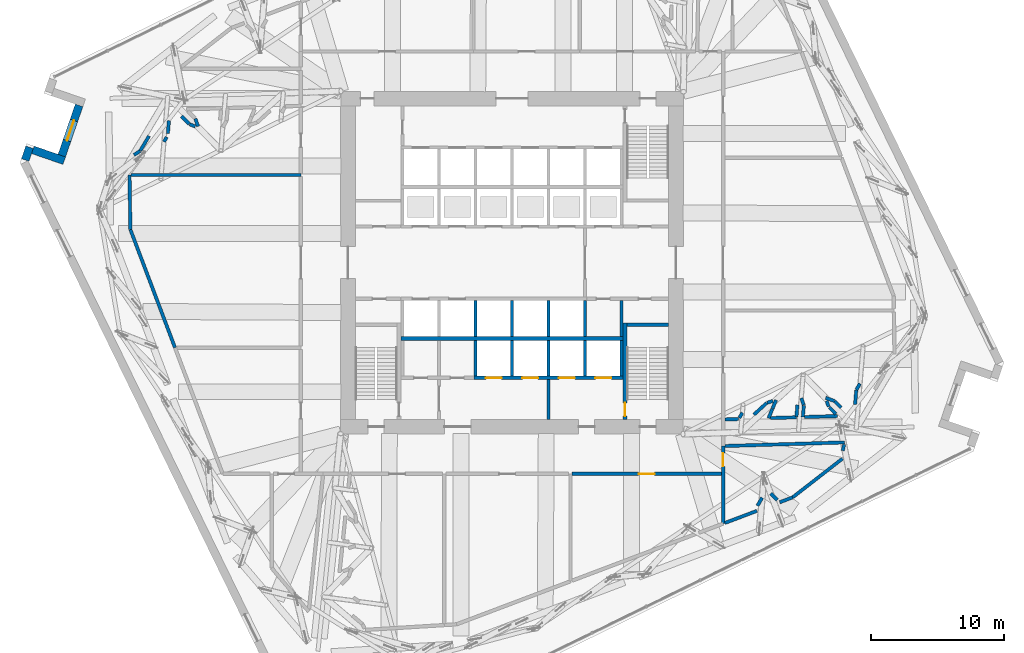
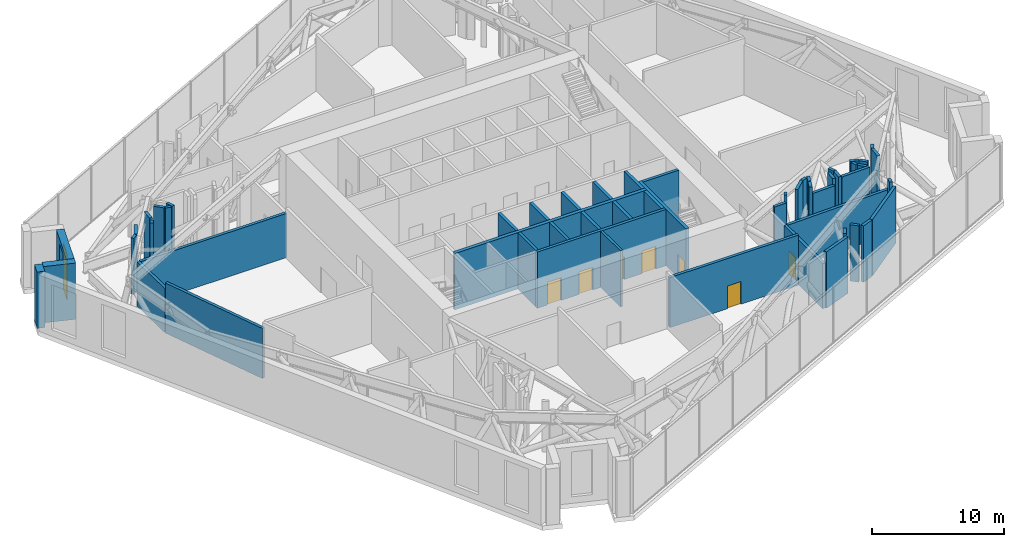
# One storey, part 11 of 21: 54 walls, 7 doors, 1 window, 8 openings.
"""IFC4 building model written with IfcOpenShell, lengths in metres."""

from ifc_helpers import new_model, si_unit, direction, frame, frame_2d, origin, place, context, subcontext, project, spatial, rectangle, extrude, material, layer, layer_set, type_object, element, fill, save


model = new_model("IFC4")

# Units and contexts
model_context = context("Model", 3, precision=1e-05, world=origin(), true_north=direction((0.0, 1.0)))
body_context = subcontext(model_context, "Body", "Model", "MODEL_VIEW")
ifc_project = project(units=[si_unit("LENGTHUNIT", "METRE"), si_unit("AREAUNIT", "SQUARE_METRE"), si_unit("VOLUMEUNIT", "CUBIC_METRE"), si_unit("PLANEANGLEUNIT", "RADIAN"), si_unit("MASSUNIT", "GRAM", prefix="KILO")], contexts=[model_context])

# Site, building, storey
site_placement = place(None, origin())
site = spatial("IfcSite", under=ifc_project, at=site_placement, CompositionType="ELEMENT")
building_placement = place(site_placement, origin())
building = spatial("IfcBuilding", under=site, at=building_placement, Name="Dilmun Exchange Tower", CompositionType="ELEMENT")
storey_placement = place(building_placement, frame((0.0, 0.0, 130.10009765625)))
storey = spatial("IfcBuildingStorey", under=building, at=storey_placement, Name="L30", CompositionType="ELEMENT", Elevation=130.10009765625)

# Walls
ifc_material_1 = material(Name="Concrete C40/50", Category="concrete")
ifc_layer_1 = layer(ifc_material_1, 0.199951171875)
ifc_layer_set_1 = layer_set([ifc_layer_1], Name="Concrete C40/50")
wall_type_1 = type_object("IfcWallType", Name="Core partition wall 200", PredefinedType="PARTITIONING", material=ifc_layer_set_1)
wall_1_placement = place(storey_placement, frame((2.75, -11.794921875, 0.0), z_axis=(0.0, 0.0, 1.0), x_axis=(0.0, 1.0, 0.0)))
element("IfcWall", 1, at=wall_1_placement, inside=storey, type_object=wall_type_1, Name="L30 core partition wall 02", PredefinedType="PARTITIONING", context=body_context, shape_type="SweptSolid", body=[
    extrude(rectangle(XDim=2.989990234375, YDim=0.199951171875, at=frame_2d((1.4951171875, 0.0))), origin(), (0.0, 0.0, 1.0), 5.199951171875),
])
ifc_layer_2 = layer(ifc_material_1, 0.25)
ifc_layer_set_2 = layer_set([ifc_layer_2], Name="Concrete C40/50")
wall_type_2 = type_object("IfcWallType", Name="Core partition wall 250", PredefinedType="PARTITIONING", material=ifc_layer_set_2)
wall_2_placement = place(storey_placement, frame((8.25, -5.544921875, 0.0), z_axis=(0.0, 0.0, 1.0), x_axis=(0.0, 1.0, 0.0)))
element("IfcWall", 2, at=wall_2_placement, inside=storey, type_object=wall_type_2, Name="L30 core partition wall 06", PredefinedType="PARTITIONING", context=body_context, shape_type="SweptSolid", body=[
    extrude(rectangle(XDim=2.68994140625, YDim=0.25, at=frame_2d((1.344970703125, 0.0))), origin(), (0.0, 0.0, 1.0), 5.199951171875),
])
ifc_layer_3 = layer(ifc_material_1, 0.300048828125)
ifc_layer_set_3 = layer_set([ifc_layer_3], Name="Concrete C40/50")
wall_type_3 = type_object("IfcWallType", Name="Lift shaft shared wall 300", PredefinedType="SOLIDWALL", material=ifc_layer_set_3)
wall_3_placement = place(storey_placement, frame((-8.375, -5.699951171875, 0.0), z_axis=(0.0, 0.0, 1.0), x_axis=(1.0, 0.0, 0.0)))
element("IfcWall", 3, at=wall_3_placement, inside=storey, type_object=wall_type_3, Name="L30 lift shaft rear wall S", PredefinedType="SOLIDWALL", context=body_context, shape_type="SweptSolid", body=[
    extrude(rectangle(XDim=16.75, YDim=0.300048828125, at=frame_2d((8.375, 0.0))), origin(), (0.0, 0.0, 1.0), 5.199951171875),
])
ifc_layer_4 = layer(ifc_material_1, 0.25)
ifc_layer_set_4 = layer_set([ifc_layer_4], Name="Concrete C40/50")
wall_type_4 = type_object("IfcWallType", Name="Lift shaft wall 250", PredefinedType="SOLIDWALL", material=ifc_layer_set_4)
for number, where, z_axis, x_axis, name in (
    (4, (-2.75, -5.550048828125, 0.0), (0.0, 0.0, 1.0), (0.0, 1.0, 0.0), "L30 lift shaft divider S12"),
    (5, (0.0, -5.550048828125, 0.0), (0.0, 0.0, 1.0), (0.0, 1.0, 0.0), "L30 lift shaft divider S13"),
    (6, (2.75, -5.550048828125, 0.0), (0.0, 0.0, 1.0), (0.0, 1.0, 0.0), "L30 lift shaft divider S14"),
    (7, (5.5, -5.550048828125, 0.0), (0.0, 0.0, 1.0), (0.0, 1.0, 0.0), "L30 lift shaft divider S15"),
):
    element("IfcWall", number, at=place(storey_placement, frame(where, z_axis=z_axis, x_axis=x_axis)), inside=storey, type_object=wall_type_4, Name=name, PredefinedType="SOLIDWALL", context=body_context, shape_type="SweptSolid", body=[
        extrude(rectangle(XDim=2.699951171875, YDim=0.25, at=frame_2d((1.35009765625, 0.0))), origin(), (0.0, 0.0, 1.0), 5.199951171875),
    ])

# Wall, openings, doors
wall_4_placement = place(storey_placement, frame((-2.875, -8.675048828125, 0.0), z_axis=(0.0, 0.0, 1.0), x_axis=(1.0, 0.0, 0.0)))
wall_4 = element("IfcWall", 8, at=wall_4_placement, inside=storey, type_object=wall_type_4, Name="L30 lift shaft front wall S2", PredefinedType="SOLIDWALL", context=body_context, shape_type="SweptSolid", body=[
    extrude(rectangle(XDim=11.25, YDim=0.25, at=frame_2d((5.625, 0.0))), origin(), (0.0, 0.0, 1.0), 5.199951171875),
])
opening_1_placement = place(wall_4_placement, frame((0.89990234375, 0.0, 0.0)))
opening_1 = element("IfcOpeningElement", 9, at=opening_1_placement, cuts=wall_4, Name="Opening LD", PredefinedType="OPENING", context=body_context, shape_type="SweptSolid", body=[
    extrude(rectangle(XDim=1.199951171875, YDim=2.10009765625, at=frame_2d((0.60009765625, 1.050048828125))), frame((0.0, 0.135009765625, 0.0), z_axis=(0.0, -1.0, 0.0), x_axis=(1.0, 0.0, 0.0)), (0.0, 0.0, 1.0), 0.27001953125),
])
opening_2_placement = place(wall_4_placement, frame((3.64990234375, 0.0, 0.0)))
opening_2 = element("IfcOpeningElement", 10, at=opening_2_placement, cuts=wall_4, Name="Opening LD", PredefinedType="OPENING", context=body_context, shape_type="SweptSolid", body=[
    extrude(rectangle(XDim=1.199951171875, YDim=2.10009765625, at=frame_2d((0.60009765625, 1.050048828125))), frame((0.0, 0.135009765625, 0.0), z_axis=(0.0, -1.0, 0.0), x_axis=(1.0, 0.0, 0.0)), (0.0, 0.0, 1.0), 0.27001953125),
])
opening_3_placement = place(wall_4_placement, frame((6.39990234375, 0.0, 0.0)))
opening_3 = element("IfcOpeningElement", 11, at=opening_3_placement, cuts=wall_4, Name="Opening LD", PredefinedType="OPENING", context=body_context, shape_type="SweptSolid", body=[
    extrude(rectangle(XDim=1.199951171875, YDim=2.10009765625, at=frame_2d((0.60009765625, 1.050048828125))), frame((0.0, 0.135009765625, 0.0), z_axis=(0.0, -1.0, 0.0), x_axis=(1.0, 0.0, 0.0)), (0.0, 0.0, 1.0), 0.27001953125),
])
opening_4_placement = place(wall_4_placement, frame((9.14990234375, 0.0, 0.0)))
opening_4 = element("IfcOpeningElement", 12, at=opening_4_placement, cuts=wall_4, Name="Opening LD", PredefinedType="OPENING", context=body_context, shape_type="SweptSolid", body=[
    extrude(rectangle(XDim=1.199951171875, YDim=2.10009765625, at=frame_2d((0.60009765625, 1.050048828125))), frame((0.0, 0.135009765625, 0.0), z_axis=(0.0, -1.0, 0.0), x_axis=(1.0, 0.0, 0.0)), (0.0, 0.0, 1.0), 0.27001953125),
])
ifc_material_2 = material(Name="Fire-rated steel door set", Category="steel")
door_type_1 = type_object("IfcDoorType", Name="Lift landing door 1200x2100", OperationType="DOUBLE_DOOR_SLIDING", PredefinedType="DOOR", material=ifc_material_2)
door_1_placement = place(opening_1_placement, origin())
door_1 = element("IfcDoor", 13, at=door_1_placement, inside=storey, type_object=door_type_1, Name="L30 landing door SV1", OperationType="DOUBLE_DOOR_SLIDING", OverallHeight=2.10009765625, OverallWidth=1.199951171875, PredefinedType="DOOR", context=body_context, shape_type="SweptSolid", body=[
    extrude(rectangle(XDim=1.199951171875, YDim=2.10009765625, at=frame_2d((0.60009765625, 1.050048828125))), frame((0.0, 0.02490234375, 0.0), z_axis=(0.0, -1.0, 0.0), x_axis=(1.0, 0.0, 0.0)), (0.0, 0.0, 1.0), 0.050048828125),
])
fill(opening_1, door_1)
door_2_placement = place(opening_2_placement, origin())
door_2 = element("IfcDoor", 14, at=door_2_placement, inside=storey, type_object=door_type_1, Name="L30 landing door SV2", OperationType="DOUBLE_DOOR_SLIDING", OverallHeight=2.10009765625, OverallWidth=1.199951171875, PredefinedType="DOOR", context=body_context, shape_type="SweptSolid", body=[
    extrude(rectangle(XDim=1.199951171875, YDim=2.10009765625, at=frame_2d((0.60009765625, 1.050048828125))), frame((0.0, 0.02490234375, 0.0), z_axis=(0.0, -1.0, 0.0), x_axis=(1.0, 0.0, 0.0)), (0.0, 0.0, 1.0), 0.050048828125),
])
fill(opening_2, door_2)
door_3_placement = place(opening_3_placement, origin())
door_3 = element("IfcDoor", 15, at=door_3_placement, inside=storey, type_object=door_type_1, Name="L30 landing door FF1", OperationType="DOUBLE_DOOR_SLIDING", OverallHeight=2.10009765625, OverallWidth=1.199951171875, PredefinedType="DOOR", context=body_context, shape_type="SweptSolid", body=[
    extrude(rectangle(XDim=1.199951171875, YDim=2.10009765625, at=frame_2d((0.60009765625, 1.050048828125))), frame((0.0, 0.02490234375, 0.0), z_axis=(0.0, -1.0, 0.0), x_axis=(1.0, 0.0, 0.0)), (0.0, 0.0, 1.0), 0.050048828125),
])
fill(opening_3, door_3)
door_4_placement = place(opening_4_placement, origin())
door_4 = element("IfcDoor", 16, at=door_4_placement, inside=storey, type_object=door_type_1, Name="L30 landing door FF2", OperationType="DOUBLE_DOOR_SLIDING", OverallHeight=2.10009765625, OverallWidth=1.199951171875, PredefinedType="DOOR", context=body_context, shape_type="SweptSolid", body=[
    extrude(rectangle(XDim=1.199951171875, YDim=2.10009765625, at=frame_2d((0.60009765625, 1.050048828125))), frame((0.0, 0.02490234375, 0.0), z_axis=(0.0, -1.0, 0.0), x_axis=(1.0, 0.0, 0.0)), (0.0, 0.0, 1.0), 0.050048828125),
])
fill(opening_4, door_4)

# Walls
for number, where, z_axis, x_axis, name in (
    (17, (-2.75, -8.550048828125, 0.0), (0.0, 0.0, 1.0), (0.0, 1.0, 0.0), "L30 lift shaft divider S22"),
    (18, (0.0, -8.550048828125, 0.0), (0.0, 0.0, 1.0), (0.0, 1.0, 0.0), "L30 lift shaft divider S23"),
    (19, (2.75, -8.550048828125, 0.0), (0.0, 0.0, 1.0), (0.0, 1.0, 0.0), "L30 lift shaft divider S24"),
    (20, (5.5, -8.550048828125, 0.0), (0.0, 0.0, 1.0), (0.0, 1.0, 0.0), "L30 lift shaft divider S25"),
    (21, (8.25, -8.550048828125, 0.0), (0.0, 0.0, 1.0), (0.0, 1.0, 0.0), "L30 lift shaft divider S26"),
):
    element("IfcWall", number, at=place(storey_placement, frame(where, z_axis=z_axis, x_axis=x_axis)), inside=storey, type_object=wall_type_4, Name=name, PredefinedType="SOLIDWALL", context=body_context, shape_type="SweptSolid", body=[
        extrude(rectangle(XDim=2.699951171875, YDim=0.25, at=frame_2d((1.35009765625, 0.0))), origin(), (0.0, 0.0, 1.0), 5.199951171875),
    ])

# Wall, opening, door
ifc_material_3 = material(Name="Concrete C32/40", Category="concrete")
ifc_layer_5 = layer(ifc_material_3, 0.25)
ifc_layer_set_5 = layer_set([ifc_layer_5], Name="Concrete C32/40")
wall_type_5 = type_object("IfcWallType", Name="Plant room wall 250", PredefinedType="PARTITIONING", material=ifc_layer_set_5)
wall_5_placement = place(storey_placement, frame((15.89990234375, -19.634765625, 0.0), z_axis=(0.0, 0.0, 1.0), x_axis=(0.0, 1.0, 0.0)))
wall_5 = element("IfcWall", 22, at=wall_5_placement, inside=storey, type_object=wall_type_5, Name="L30 plant room wall 20", PredefinedType="PARTITIONING", context=body_context, shape_type="SweptSolid", body=[
    extrude(rectangle(XDim=5.824951171875, YDim=0.25, at=frame_2d((2.91259765625, 0.0))), origin(), (0.0, 0.0, 1.0), 4.171875),
])
opening_5_placement = place(wall_5_placement, frame((4.289794921875, 0.0, 0.0)))
opening_5 = element("IfcOpeningElement", 23, at=opening_5_placement, cuts=wall_5, Name="Opening PD1", PredefinedType="OPENING", context=body_context, shape_type="SweptSolid", body=[
    extrude(rectangle(XDim=1.0, YDim=2.10009765625, at=frame_2d((0.5, 1.050048828125))), frame((0.0, 0.135009765625, 0.0), z_axis=(0.0, -1.0, 0.0), x_axis=(1.0, 0.0, 0.0)), (0.0, 0.0, 1.0), 0.27001953125),
])
door_type_2 = type_object("IfcDoorType", Name="Plant room door 1000x2100", OperationType="SINGLE_SWING_LEFT", PredefinedType="DOOR", material=ifc_material_2)
door_5_placement = place(opening_5_placement, origin())
door_5 = element("IfcDoor", 24, at=door_5_placement, inside=storey, type_object=door_type_2, Name="L30 door Electrical plant room", OperationType="SINGLE_SWING_RIGHT", OverallHeight=2.10009765625, OverallWidth=1.0, PredefinedType="DOOR", context=body_context, shape_type="SweptSolid", body=[
    extrude(rectangle(XDim=1.0, YDim=2.10009765625, at=frame_2d((0.5, 1.050048828125))), frame((0.0, 0.02490234375, 0.0), z_axis=(0.0, -1.0, 0.0), x_axis=(1.0, 0.0, 0.0)), (0.0, 0.0, 1.0), 0.050048828125),
])
fill(opening_5, door_5)

# Walls
wall_6_placement = place(storey_placement, frame((16.030029296875, -19.599609375, 0.0), z_axis=(0.0, 0.0, 1.0), x_axis=(0.935490853033, 0.353350907586, 0.0)))
element("IfcWall", 25, at=wall_6_placement, inside=storey, type_object=wall_type_5, Name="L30 plant room wall 24", PredefinedType="PARTITIONING", context=body_context, shape_type="SweptSolid", body=[
    extrude(rectangle(XDim=2.581298828125, YDim=0.25, at=frame_2d((1.29052734375, 0.0))), origin(), (0.0, 0.0, 1.0), 5.199951171875),
])
for number, where, z_axis, x_axis, name in (
    (26, (19.481201171875, -17.385986328125, 0.0), (0.0, 0.0, 1.0), (0.715582490234, -0.698528238278, 0.0), "L30 plant room wall 25"),
    (27, (18.48388671875, -18.30419921875, 0.0), (0.0, 0.0, 1.0), (0.498386115662, 0.866955177454, 0.0), "L30 plant room wall 26"),
):
    element("IfcWall", number, at=place(storey_placement, frame(where, z_axis=z_axis, x_axis=x_axis)), inside=storey, type_object=wall_type_5, Name=name, PredefinedType="PARTITIONING", context=body_context, shape_type="SweptSolid", body=[
        extrude(rectangle(XDim=0.701416015625, YDim=0.25, at=frame_2d((0.3505859375, 0.0))), origin(), (0.0, 0.0, 1.0), 5.199951171875),
    ])
wall_7_placement = place(storey_placement, frame((20.1533203125, -18.042236328125, 0.0), z_axis=(0.0, 0.0, 1.0), x_axis=(0.935472093667, 0.353400568719, 0.0)))
element("IfcWall", 28, at=wall_7_placement, inside=storey, type_object=wall_type_5, Name="L30 plant room wall 27", PredefinedType="PARTITIONING", context=body_context, shape_type="SweptSolid", body=[
    extrude(rectangle(XDim=1.045166015625, YDim=0.25, at=frame_2d((0.5224609375, 0.0))), origin(), (0.0, 0.0, 1.0), 5.199951171875),
])

# Wall, opening, door
wall_8_placement = place(storey_placement, frame((4.530029296875, -15.89990234375, 0.0), z_axis=(0.0, 0.0, 1.0), x_axis=(1.0, 0.0, 0.0)))
wall_8 = element("IfcWall", 29, at=wall_8_placement, inside=storey, type_object=wall_type_5, Name="L30 plant room wall 35", PredefinedType="PARTITIONING", context=body_context, shape_type="SweptSolid", body=[
    extrude(rectangle(XDim=11.239990234375, YDim=0.25, at=frame_2d((5.6201171875, 0.0))), origin(), (0.0, 0.0, 1.0), 4.6298828125),
])
opening_6_placement = place(wall_8_placement, frame((5.010009765625, 0.0, 0.0)))
opening_6 = element("IfcOpeningElement", 30, at=opening_6_placement, cuts=wall_8, Name="Opening PD2", PredefinedType="OPENING", context=body_context, shape_type="SweptSolid", body=[
    extrude(rectangle(XDim=1.199951171875, YDim=2.10009765625, at=frame_2d((0.60009765625, 1.050048828125))), frame((0.0, 0.135009765625, 0.0), z_axis=(0.0, -1.0, 0.0), x_axis=(1.0, 0.0, 0.0)), (0.0, 0.0, 1.0), 0.27001953125),
])
door_type_3 = type_object("IfcDoorType", Name="Plant room door 1200x2100", OperationType="SINGLE_SWING_LEFT", PredefinedType="DOOR", material=ifc_material_2)
door_6_placement = place(opening_6_placement, origin())
door_6 = element("IfcDoor", 31, at=door_6_placement, inside=storey, type_object=door_type_3, Name="L30 door Electrical switch room", OperationType="SINGLE_SWING_LEFT", OverallHeight=2.10009765625, OverallWidth=1.199951171875, PredefinedType="DOOR", context=body_context, shape_type="SweptSolid", body=[
    extrude(rectangle(XDim=1.199951171875, YDim=2.10009765625, at=frame_2d((0.60009765625, 1.050048828125))), frame((0.0, 0.02490234375, 0.0), z_axis=(0.0, -1.0, 0.0), x_axis=(1.0, 0.0, 0.0)), (0.0, 0.0, 1.0), 0.050048828125),
])
fill(opening_6, door_6)

# Walls
wall_9_placement = place(storey_placement, frame((21.13525390625, -17.669677734375, 0.0), z_axis=(0.0, 0.0, 1.0), x_axis=(0.789446443864, 0.613819445986, 0.0)))
element("IfcWall", 32, at=wall_9_placement, inside=storey, type_object=wall_type_5, Name="L30 plant room wall 38", PredefinedType="PARTITIONING", context=body_context, shape_type="SweptSolid", body=[
    extrude(rectangle(XDim=4.7431640625, YDim=0.25, at=frame_2d((2.37158203125, 0.0))), origin(), (0.0, 0.0, 1.0), 5.199951171875),
])
wall_10_placement = place(storey_placement, frame((16.02978515625, -13.805908203125, 0.0), z_axis=(0.0, 0.0, 1.0), x_axis=(0.999542815206, 0.030235088404, 0.0)))
element("IfcWall", 33, at=wall_10_placement, inside=storey, type_object=wall_type_5, Name="L30 plant room wall 39", PredefinedType="PARTITIONING", context=body_context, shape_type="SweptSolid", body=[
    extrude(rectangle(XDim=9.027587890625, YDim=0.25, at=frame_2d((4.513671875, 0.0))), origin(), (0.0, 0.0, 1.0), 4.171875),
])
wall_11_placement = place(storey_placement, frame((24.900634765625, -14.154296875, 0.0), z_axis=(0.0, 0.0, 1.0), x_axis=(0.238149841814, 0.971228424648, 0.0)))
element("IfcWall", 34, at=wall_11_placement, inside=storey, type_object=wall_type_5, Name="L30 plant room wall 40", PredefinedType="PARTITIONING", context=body_context, shape_type="SweptSolid", body=[
    extrude(rectangle(XDim=0.48486328125, YDim=0.25, at=frame_2d((0.242431640625, 0.0))), origin(), (0.0, 0.0, 1.0), 5.199951171875),
])
wall_12_placement = place(storey_placement, frame((16.030029296875, -11.804931640625, 0.0), z_axis=(0.0, 0.0, 1.0), x_axis=(0.999542468894, 0.030246534949, 0.0)))
element("IfcWall", 35, at=wall_12_placement, inside=storey, type_object=wall_type_5, Name="L30 plant room wall 41", PredefinedType="PARTITIONING", context=body_context, shape_type="SweptSolid", body=[
    extrude(rectangle(XDim=1.041259765625, YDim=0.25, at=frame_2d((0.5205078125, 0.0))), origin(), (0.0, 0.0, 1.0), 4.6298828125),
])
wall_13_placement = place(storey_placement, frame((19.31787109375, -11.70556640625, 0.0), z_axis=(0.0, 0.0, 1.0), x_axis=(0.383813679538, 0.923410558419, 0.0)))
element("IfcWall", 36, at=wall_13_placement, inside=storey, type_object=wall_type_5, Name="L30 plant room wall 42", PredefinedType="PARTITIONING", context=body_context, shape_type="SweptSolid", body=[
    extrude(rectangle(XDim=0.7568359375, YDim=0.25, at=frame_2d((0.37841796875, 0.0))), origin(), (0.0, 0.0, 1.0), 5.199951171875),
])
wall_14_placement = place(storey_placement, frame((19.46044921875, -11.701171875, 0.0), z_axis=(0.0, 0.0, 1.0), x_axis=(0.999542439642, 0.030247501612, 0.0)))
element("IfcWall", 37, at=wall_14_placement, inside=storey, type_object=wall_type_5, Name="L30 plant room wall 43", PredefinedType="PARTITIONING", context=body_context, shape_type="SweptSolid", body=[
    extrude(rectangle(XDim=1.953369140625, YDim=0.25, at=frame_2d((0.9765625, 0.0))), origin(), (0.0, 0.0, 1.0), 4.6298828125),
])
wall_15_placement = place(storey_placement, frame((21.899658203125, -11.62744140625, 0.0), z_axis=(0.0, 0.0, 1.0), x_axis=(0.083683339476, 0.99649239771, 0.0)))
element("IfcWall", 38, at=wall_15_placement, inside=storey, type_object=wall_type_5, Name="L30 plant room wall 44", PredefinedType="PARTITIONING", context=body_context, shape_type="SweptSolid", body=[
    extrude(rectangle(XDim=0.886962890625, YDim=0.25, at=frame_2d((0.443359375, 0.0))), origin(), (0.0, 0.0, 1.0), 5.199951171875),
])
wall_16_placement = place(storey_placement, frame((22.030517578125, -11.623291015625, 0.0), z_axis=(0.0, 0.0, 1.0), x_axis=(0.999545895718, 0.03013307738, 0.0)))
element("IfcWall", 39, at=wall_16_placement, inside=storey, type_object=wall_type_5, Name="L30 plant room wall 45", PredefinedType="PARTITIONING", context=body_context, shape_type="SweptSolid", body=[
    extrude(rectangle(XDim=2.463134765625, YDim=0.25, at=frame_2d((1.2314453125, 0.0))), origin(), (0.0, 0.0, 1.0), 5.199951171875),
])
wall_17_placement = place(storey_placement, frame((17.1201171875, -11.68701171875, 0.0), z_axis=(0.0, 0.0, 1.0), x_axis=(0.498150847944, 0.867090383232, 0.0)))
element("IfcWall", 40, at=wall_17_placement, inside=storey, type_object=wall_type_5, Name="L30 plant room wall 46", PredefinedType="PARTITIONING", context=body_context, shape_type="SweptSolid", body=[
    extrude(rectangle(XDim=0.444091796875, YDim=0.25, at=frame_2d((0.22216796875, 0.0))), origin(), (0.0, 0.0, 1.0), 5.199951171875),
])
wall_18_placement = place(storey_placement, frame((19.614013671875, -10.992919921875, 0.0), z_axis=(0.0, 0.0, 1.0), x_axis=(0.383898575086, 0.923375267184, 0.0)))
element("IfcWall", 41, at=wall_18_placement, inside=storey, type_object=wall_type_5, Name="L30 plant room wall 47", PredefinedType="PARTITIONING", context=body_context, shape_type="SweptSolid", body=[
    extrude(rectangle(XDim=0.701416015625, YDim=0.25, at=frame_2d((0.3505859375, 0.0))), origin(), (0.0, 0.0, 1.0), 5.199951171875),
])
wall_19_placement = place(storey_placement, frame((24.297607421875, -10.43115234375, 0.0), z_axis=(0.0, 0.0, 1.0), x_axis=(0.704233858662, -0.709968078377, 0.0)))
element("IfcWall", 42, at=wall_19_placement, inside=storey, type_object=wall_type_5, Name="L30 plant room wall 48", PredefinedType="PARTITIONING", context=body_context, shape_type="SweptSolid", body=[
    extrude(rectangle(XDim=0.68115234375, YDim=0.25, at=frame_2d((0.340576171875, 0.0))), origin(), (0.0, 0.0, 1.0), 5.199951171875),
])
wall_20_placement = place(storey_placement, frame((23.88671875, -10.893310546875, 0.0), z_axis=(0.0, 0.0, 1.0), x_axis=(0.704347371504, -0.709855464341, 0.0)))
element("IfcWall", 43, at=wall_20_placement, inside=storey, type_object=wall_type_5, Name="L30 plant room wall 49", PredefinedType="PARTITIONING", context=body_context, shape_type="SweptSolid", body=[
    extrude(rectangle(XDim=0.709228515625, YDim=0.25, at=frame_2d((0.3544921875, 0.0))), origin(), (0.0, 0.0, 1.0), 5.199951171875),
])
wall_21_placement = place(storey_placement, frame((21.7822265625, -10.2041015625, 0.0), z_axis=(0.0, 0.0, 1.0), x_axis=(0.34516449371, -0.938542205914, 0.0)))
element("IfcWall", 44, at=wall_21_placement, inside=storey, type_object=wall_type_5, Name="L30 plant room wall 50", PredefinedType="PARTITIONING", context=body_context, shape_type="SweptSolid", body=[
    extrude(rectangle(XDim=0.5439453125, YDim=0.25, at=frame_2d((0.27197265625, 0.0))), origin(), (0.0, 0.0, 1.0), 5.199951171875),
])
wall_22_placement = place(storey_placement, frame((21.41650390625, -11.598388671875, 0.0), z_axis=(0.0, 0.0, 1.0), x_axis=(0.083697651562, 0.996491195708, 0.0)))
element("IfcWall", 45, at=wall_22_placement, inside=storey, type_object=wall_type_5, Name="L30 plant room wall 51", PredefinedType="PARTITIONING", context=body_context, shape_type="SweptSolid", body=[
    extrude(rectangle(XDim=0.8984375, YDim=0.25, at=frame_2d((0.44921875, 0.0))), origin(), (0.0, 0.0, 1.0), 5.199951171875),
])
wall_23_placement = place(storey_placement, frame((18.2099609375, -11.44873046875, 0.0), z_axis=(0.0, 0.0, 1.0), x_axis=(0.738131795396, 0.674656544195, 0.0)))
element("IfcWall", 46, at=wall_23_placement, inside=storey, type_object=wall_type_5, Name="L30 plant room wall 52", PredefinedType="PARTITIONING", context=body_context, shape_type="SweptSolid", body=[
    extrude(rectangle(XDim=1.3154296875, YDim=0.25, at=frame_2d((0.65771484375, 0.0))), origin(), (0.0, 0.0, 1.0), 5.199951171875),
])
wall_24_placement = place(storey_placement, frame((23.61474609375, -10.1728515625, 0.0), z_axis=(0.0, 0.0, 1.0), x_axis=(0.938372825887, -0.345624709238, 0.0)))
element("IfcWall", 47, at=wall_24_placement, inside=storey, type_object=wall_type_5, Name="L30 plant room wall 53", PredefinedType="PARTITIONING", context=body_context, shape_type="SweptSolid", body=[
    extrude(rectangle(XDim=0.701416015625, YDim=0.25, at=frame_2d((0.3505859375, 0.0))), origin(), (0.0, 0.0, 1.0), 5.199951171875),
])
for number, where, z_axis, x_axis, name in (
    (48, (19.206298828125, -10.546630859375, 0.0), (0.0, 0.0, 1.0), (0.954164508079, 0.299282628166, 0.0), "L30 plant room wall 54"),
    (49, (23.689697265625, -10.41259765625, 0.0), (0.0, 0.0, 1.0), (0.338510496256, -0.940962615583, 0.0), "L30 plant room wall 55"),
):
    element("IfcWall", number, at=place(storey_placement, frame(where, z_axis=z_axis, x_axis=x_axis)), inside=storey, type_object=wall_type_5, Name=name, PredefinedType="PARTITIONING", context=body_context, shape_type="SweptSolid", body=[
        extrude(rectangle(XDim=0.455078125, YDim=0.25, at=frame_2d((0.2275390625, 0.0))), origin(), (0.0, 0.0, 1.0), 5.199951171875),
    ])
wall_25_placement = place(storey_placement, frame((25.830810546875, -10.689208984375, 0.0), z_axis=(0.0, 0.0, 1.0), x_axis=(0.083416627051, 0.996514759716, 0.0)))
element("IfcWall", 50, at=wall_25_placement, inside=storey, type_object=wall_type_5, Name="L30 plant room wall 56", PredefinedType="PARTITIONING", context=body_context, shape_type="SweptSolid", body=[
    extrude(rectangle(XDim=1.0888671875, YDim=0.25, at=frame_2d((0.54443359375, 0.0))), origin(), (0.0, 0.0, 1.0), 5.199951171875),
])
wall_26_placement = place(storey_placement, frame((25.930419921875, -9.576416015625, 0.0), z_axis=(0.0, 0.0, 1.0), x_axis=(0.49642893732, 0.868077364174, 0.0)))
element("IfcWall", 51, at=wall_26_placement, inside=storey, type_object=wall_type_5, Name="L30 plant room wall 58", PredefinedType="PARTITIONING", context=body_context, shape_type="SweptSolid", body=[
    extrude(rectangle(XDim=0.5439453125, YDim=0.25, at=frame_2d((0.27197265625, 0.0))), origin(), (0.0, 0.0, 1.0), 5.199951171875),
])
wall_27_placement = place(storey_placement, frame((-28.7353515625, 2.49560546875, 0.0), z_axis=(0.0, 0.0, 1.0), x_axis=(0.353343618465, -0.935493606226, 0.0)))
element("IfcWall", 52, at=wall_27_placement, inside=storey, type_object=wall_type_5, Name="L30 plant room wall 60", PredefinedType="PARTITIONING", context=body_context, shape_type="SweptSolid", body=[
    extrude(rectangle(XDim=9.50390625, YDim=0.25, at=frame_2d((4.751953125, 0.0))), origin(), (0.0, 0.0, 1.0), 4.6298828125),
])
wall_28_placement = place(storey_placement, frame((-28.80126953125, 6.60009765625, 0.0), z_axis=(0.0, 0.0, 1.0), x_axis=(0.016018431684, -0.999871696692, 0.0)))
element("IfcWall", 53, at=wall_28_placement, inside=storey, type_object=wall_type_5, Name="L30 plant room wall 66", PredefinedType="PARTITIONING", context=body_context, shape_type="SweptSolid", body=[
    extrude(rectangle(XDim=4.099853515625, YDim=0.25, at=frame_2d((2.0498046875, 0.0))), origin(), (0.0, 0.0, 1.0), 4.079833984375),
])
wall_29_placement = place(storey_placement, frame((-28.671142578125, 6.60009765625, 0.0), z_axis=(0.0, 0.0, 1.0), x_axis=(1.0, 0.0, 0.0)))
element("IfcWall", 54, at=wall_29_placement, inside=storey, type_object=wall_type_5, Name="L30 plant room wall 67", PredefinedType="PARTITIONING", context=body_context, shape_type="SweptSolid", body=[
    extrude(rectangle(XDim=12.771240234375, YDim=0.25, at=frame_2d((6.3857421875, 0.0))), origin(), (0.0, 0.0, 1.0), 4.079833984375),
])
wall_30_placement = place(storey_placement, frame((-28.4580078125, 8.1083984375, 0.0), z_axis=(0.0, 0.0, 1.0), x_axis=(0.826984824214, 0.562224243981, 0.0)))
element("IfcWall", 55, at=wall_30_placement, inside=storey, type_object=wall_type_5, Name="L30 plant room wall 71", PredefinedType="PARTITIONING", context=body_context, shape_type="SweptSolid", body=[
    extrude(rectangle(XDim=0.544921875, YDim=0.25, at=frame_2d((0.2724609375, 0.0))), origin(), (0.0, 0.0, 1.0), 5.199951171875),
])
wall_31_placement = place(storey_placement, frame((-27.9873046875, 8.436279296875, 0.0), z_axis=(0.0, 0.0, 1.0), x_axis=(0.511956966552, 0.859011096784, 0.0)))
element("IfcWall", 56, at=wall_31_placement, inside=storey, type_object=wall_type_5, Name="L30 plant room wall 72", PredefinedType="PARTITIONING", context=body_context, shape_type="SweptSolid", body=[
    extrude(rectangle(XDim=1.2880859375, YDim=0.25, at=frame_2d((0.64404296875, 0.0))), origin(), (0.0, 0.0, 1.0), 5.199951171875),
])
wall_32_placement = place(storey_placement, frame((-26.200439453125, 9.104248046875, 0.0), z_axis=(0.0, 0.0, 1.0), x_axis=(0.496848753998, 0.867837148117, 0.0)))
element("IfcWall", 57, at=wall_32_placement, inside=storey, type_object=wall_type_5, Name="L30 plant room wall 73", PredefinedType="PARTITIONING", context=body_context, shape_type="SweptSolid", body=[
    extrude(rectangle(XDim=0.407470703125, YDim=0.25, at=frame_2d((0.20361328125, 0.0))), origin(), (0.0, 0.0, 1.0), 5.199951171875),
])
wall_33_placement = place(storey_placement, frame((-25.911376953125, 9.727783203125, 0.0), z_axis=(0.0, 0.0, 1.0), x_axis=(0.083506194812, 0.996507258091, 0.0)))
element("IfcWall", 58, at=wall_33_placement, inside=storey, type_object=wall_type_5, Name="L30 plant room wall 75", PredefinedType="PARTITIONING", context=body_context, shape_type="SweptSolid", body=[
    extrude(rectangle(XDim=0.96484375, YDim=0.25, at=frame_2d((0.482421875, 0.0))), origin(), (0.0, 0.0, 1.0), 5.199951171875),
])
wall_34_placement = place(storey_placement, frame((-23.84375, 10.8408203125, 0.0), z_axis=(0.0, 0.0, 1.0), x_axis=(0.337955488835, -0.941162094204, 0.0)))
element("IfcWall", 59, at=wall_34_placement, inside=storey, type_object=wall_type_5, Name="L30 plant room wall 77", PredefinedType="PARTITIONING", context=body_context, shape_type="SweptSolid", body=[
    extrude(rectangle(XDim=0.611083984375, YDim=0.25, at=frame_2d((0.3056640625, 0.0))), origin(), (0.0, 0.0, 1.0), 5.199951171875),
])
wall_35_placement = place(storey_placement, frame((-24.27294921875, 10.415283203125, 0.0), z_axis=(0.0, 0.0, 1.0), x_axis=(0.938297337991, -0.345829590288, 0.0)))
element("IfcWall", 60, at=wall_35_placement, inside=storey, type_object=wall_type_5, Name="L30 plant room wall 79", PredefinedType="PARTITIONING", context=body_context, shape_type="SweptSolid", body=[
    extrude(rectangle(XDim=0.455322265625, YDim=0.25, at=frame_2d((0.2275390625, 0.0))), origin(), (0.0, 0.0, 1.0), 5.199951171875),
])
wall_36_placement = place(storey_placement, frame((-24.89208984375, 11.030517578125, 0.0), z_axis=(0.0, 0.0, 1.0), x_axis=(0.704208838957, -0.709992895129, 0.0)))
element("IfcWall", 61, at=wall_36_placement, inside=storey, type_object=wall_type_5, Name="L30 plant room wall 84", PredefinedType="PARTITIONING", context=body_context, shape_type="SweptSolid", body=[
    extrude(rectangle(XDim=0.84423828125, YDim=0.25, at=frame_2d((0.422119140625, 0.0))), origin(), (0.0, 0.0, 1.0), 5.199951171875),
])

# Wall, opening, window
ifc_material_4 = material(Name="Precast concrete C50/60", Category="concrete")
ifc_layer_6 = layer(ifc_material_4, 0.60009765625)
ifc_layer_set_6 = layer_set([ifc_layer_6], Name="Precast concrete C50/60")
wall_type_6 = type_object("IfcWallType", Name="Precast stone-clad wall 600", PredefinedType="STANDARD", material=ifc_layer_set_6)
wall_37_placement = place(storey_placement, frame((-32.5966796875, 11.843505859375, 0.0), z_axis=(0.0, 0.0, 1.0), x_axis=(-0.325550509245, -0.945524651149, 0.0)))
wall_37 = element("IfcWall", 62, at=wall_37_placement, inside=storey, type_object=wall_type_6, Name="Facade wall L30-06", PredefinedType="STANDARD", context=body_context, shape_type="SweptSolid", body=[
    extrude(rectangle(XDim=4.000244140625, YDim=0.60009765625, at=frame_2d((2.0, 0.0))), origin(), (0.0, 0.0, 1.0), 5.199951171875),
])
opening_7_placement = place(wall_37_placement, frame((1.199951171875, 0.0, 0.60009765625)))
opening_7 = element("IfcOpeningElement", 63, at=opening_7_placement, cuts=wall_37, Name="Opening LV160-415", PredefinedType="OPENING", context=body_context, shape_type="SweptSolid", body=[
    extrude(rectangle(XDim=1.60009765625, YDim=4.14990234375, at=frame_2d((0.800048828125, 2.074951171875))), frame((0.0, 0.31005859375, 0.0), z_axis=(0.0, -1.0, 0.0), x_axis=(1.0, 0.0, 0.0)), (0.0, 0.0, 1.0), 0.6201171875),
])
ifc_material_5 = material(Name="Anodised aluminium louvre blades with sand trap", Category="aluminium")
window_type = type_object("IfcWindowType", Name="Plant louvre 1600 x 4150", PartitioningType="SINGLE_PANEL", PredefinedType="USERDEFINED", material=ifc_material_5)
window_placement = place(opening_7_placement, origin())
window = element("IfcWindow", 64, at=window_placement, inside=storey, type_object=window_type, Name="Plant louvre 7.1", ObjectType="LOUVRE", OverallHeight=4.14990234375, OverallWidth=1.60009765625, PartitioningType="SINGLE_PANEL", PredefinedType="USERDEFINED", context=body_context, shape_type="SweptSolid", body=[
    extrude(rectangle(XDim=1.60009765625, YDim=4.14990234375, at=frame_2d((0.800048828125, 2.074951171875))), frame((0.0, 0.030029296875, 0.0), z_axis=(0.0, -1.0, 0.0), x_axis=(1.0, 0.0, 0.0)), (0.0, 0.0, 1.0), 0.06005859375),
])
fill(opening_7, window)

# Walls
wall_38_placement = place(storey_placement, frame((-33.712890625, 7.68017578125, 0.0), z_axis=(0.0, 0.0, 1.0), x_axis=(-0.945552366242, 0.325470002756, 0.0)))
element("IfcWall", 65, at=wall_38_placement, inside=storey, type_object=wall_type_6, Name="Facade wall L30-07", PredefinedType="STANDARD", context=body_context, shape_type="SweptSolid", body=[
    extrude(rectangle(XDim=2.500244140625, YDim=0.60009765625, at=frame_2d((1.25, 0.0))), origin(), (0.0, 0.0, 1.0), 5.199951171875),
])
wall_39_placement = place(storey_placement, frame((-36.327880859375, 8.686279296875, 0.0), z_axis=(0.0, 0.0, 1.0), x_axis=(-0.325410332792, -0.945572903224, 0.0)))
element("IfcWall", 66, at=wall_39_placement, inside=storey, type_object=wall_type_6, Name="Facade wall L30-08", PredefinedType="STANDARD", context=body_context, shape_type="SweptSolid", body=[
    extrude(rectangle(XDim=1.01123046875, YDim=0.60009765625, at=frame_2d((0.505615234375, 0.0))), origin(), (0.0, 0.0, 1.0), 5.199951171875),
])
ifc_layer_7 = layer(ifc_material_1, 0.25)
ifc_layer_set_7 = layer_set([ifc_layer_7], Name="Concrete C40/50")
wall_type_7 = type_object("IfcWallType", Name="Stair end wall 250", PredefinedType="SOLIDWALL", material=ifc_layer_set_7)
wall_40_placement = place(storey_placement, frame((8.64990234375, -4.675048828125, 0.0), z_axis=(0.0, 0.0, 1.0), x_axis=(1.0, 0.0, 0.0)))
element("IfcWall", 67, at=wall_40_placement, inside=storey, type_object=wall_type_7, Name="L30 ST3 far wall", PredefinedType="SOLIDWALL", context=body_context, shape_type="SweptSolid", body=[
    extrude(rectangle(XDim=3.150146484375, YDim=0.25, at=frame_2d((1.5751953125, 0.0))), origin(), (0.0, 0.0, 1.0), 5.199951171875),
])

# Wall, opening, door
ifc_layer_8 = layer(ifc_material_1, 0.27490234375)
ifc_layer_set_8 = layer_set([ifc_layer_8], Name="Concrete C40/50")
wall_type_8 = type_object("IfcWallType", Name="Stair wall 275", PredefinedType="SOLIDWALL", material=ifc_layer_set_8)
wall_41_placement = place(storey_placement, frame((8.512451171875, -4.550048828125, 0.0), z_axis=(0.0, 0.0, 1.0), x_axis=(0.0, -1.0, 0.0)))
wall_41 = element("IfcWall", 68, at=wall_41_placement, inside=storey, type_object=wall_type_8, Name="L30 ST3 wall to lift block", PredefinedType="SOLIDWALL", context=body_context, shape_type="SweptSolid", body=[
    extrude(rectangle(XDim=7.25, YDim=0.27490234375, at=frame_2d((3.625, 0.0))), origin(), (0.0, 0.0, 1.0), 5.199951171875),
])
opening_8_placement = place(wall_41_placement, frame((6.0, 0.0, 0.0)))
opening_8 = element("IfcOpeningElement", 69, at=opening_8_placement, cuts=wall_41, Name="Opening CD4", PredefinedType="OPENING", context=body_context, shape_type="SweptSolid", body=[
    extrude(rectangle(XDim=1.0, YDim=2.10009765625, at=frame_2d((0.5, 1.050048828125))), frame((0.0, 0.1474609375, 0.0), z_axis=(0.0, -1.0, 0.0), x_axis=(1.0, 0.0, 0.0)), (0.0, 0.0, 1.0), 0.294921875),
])
door_type_4 = type_object("IfcDoorType", Name="Core room door 1000x2100", OperationType="SINGLE_SWING_LEFT", PredefinedType="DOOR", material=ifc_material_2)
door_7_placement = place(opening_8_placement, origin())
door_7 = element("IfcDoor", 70, at=door_7_placement, inside=storey, type_object=door_type_4, Name="L30 door ST3 from lobby", OperationType="SINGLE_SWING_LEFT", OverallHeight=2.10009765625, OverallWidth=1.0, PredefinedType="DOOR", context=body_context, shape_type="SweptSolid", body=[
    extrude(rectangle(XDim=1.0, YDim=2.10009765625, at=frame_2d((0.5, 1.050048828125))), frame((0.0, 0.02490234375, 0.0), z_axis=(0.0, -1.0, 0.0), x_axis=(1.0, 0.0, 0.0)), (0.0, 0.0, 1.0), 0.050048828125),
])
fill(opening_8, door_7)

save(model, "model.ifc")
